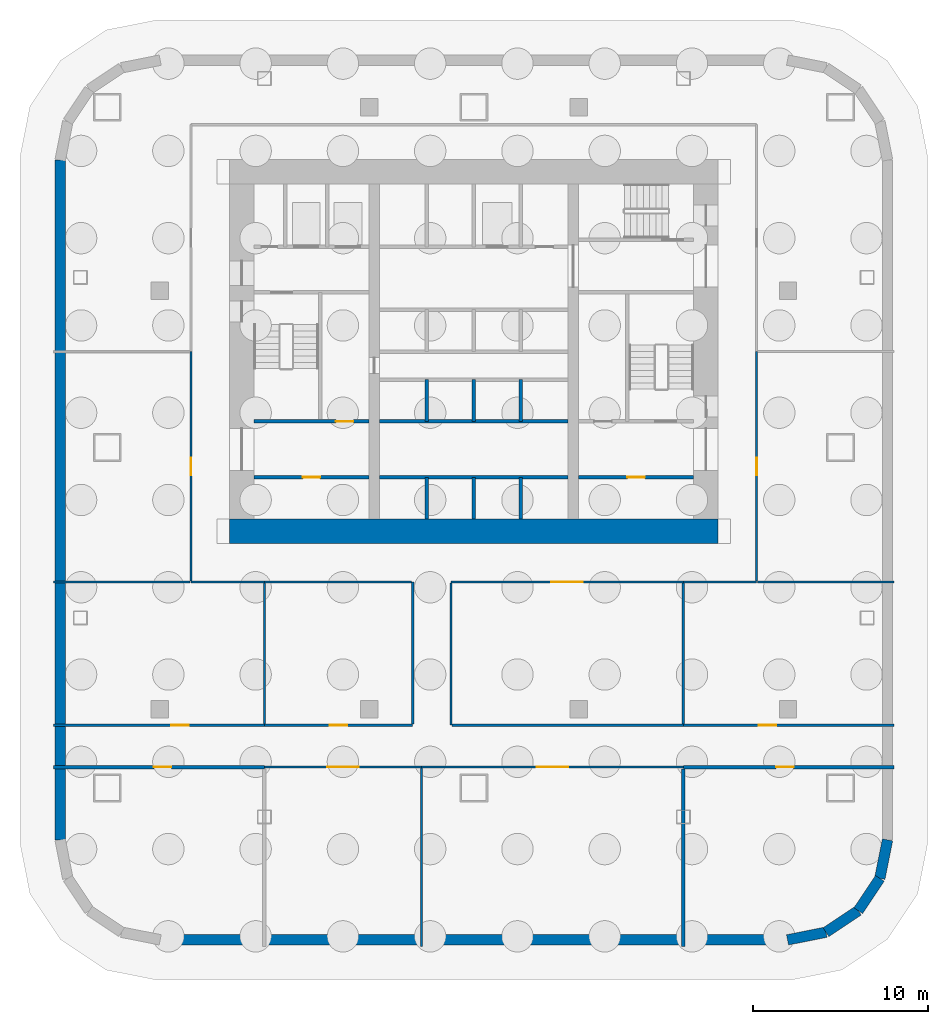
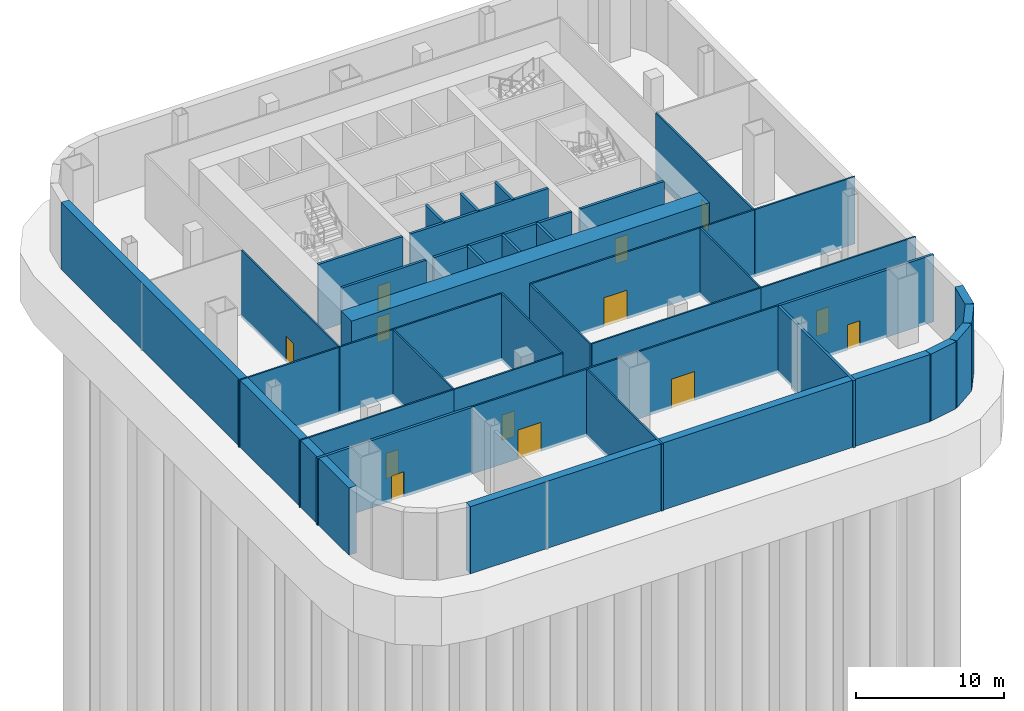
# One storey, part 2 of 6: 40 walls, 13 doors, 13 openings.
"""IFC4 building model written with IfcOpenShell, lengths in metres."""

from ifc_helpers import new_model, si_unit, direction, frame, frame_2d, origin, place, context, subcontext, project, spatial, rectangle, extrude, material, layer, layer_set, type_object, element, fill, save


model = new_model("IFC4")

# Units and contexts
model_context = context("Model", 3, precision=1e-05, world=origin(), true_north=direction((0.0, 1.0)))
body_context = subcontext(model_context, "Body", "Model", "MODEL_VIEW")
ifc_project = project(units=[si_unit("LENGTHUNIT", "METRE"), si_unit("AREAUNIT", "SQUARE_METRE"), si_unit("VOLUMEUNIT", "CUBIC_METRE"), si_unit("PLANEANGLEUNIT", "RADIAN"), si_unit("MASSUNIT", "GRAM", prefix="KILO")], contexts=[model_context])

# Site, building, storey
site_placement = place(None, origin())
site = spatial("IfcSite", under=ifc_project, at=site_placement, CompositionType="ELEMENT")
building_placement = place(site_placement, origin())
building = spatial("IfcBuilding", under=site, at=building_placement, Name="Verdant Reach Tower", CompositionType="ELEMENT")
storey_placement = place(building_placement, frame((0.0, 0.0, -6.0)))
storey = spatial("IfcBuildingStorey", under=building, at=storey_placement, Name="B1", CompositionType="ELEMENT", Elevation=-6.0)

# Wall, opening, door
ifc_material_1 = material(Name="Gypsum board on steel studs", Category="steel")
ifc_layer_1 = layer(ifc_material_1, 0.199951171875)
ifc_layer_set_1 = layer_set([ifc_layer_1], Name="CO-WALL-ROOM")
wall_type_1 = type_object("IfcWallType", Name="CO-WALL-ROOM", PredefinedType="PARTITIONING", material=ifc_layer_set_1)
wall_1_placement = place(storey_placement, frame((-12.60009765625, 20.800048828125, 0.0), z_axis=(0.0, 0.0, 1.0), x_axis=(1.0, 0.0, 0.0)))
wall_1 = element("IfcWall", 1, at=wall_1_placement, inside=storey, type_object=wall_type_1, Name="Core partition, B1", PredefinedType="PARTITIONING", context=body_context, shape_type="SweptSolid", body=[
    extrude(rectangle(XDim=6.60009765625, YDim=0.199951171875, at=frame_2d((3.300048828125, 0.0))), origin(), (0.0, 0.0, 1.0), 5.550048828125),
])
opening_1_placement = place(wall_1_placement, frame((2.800048828125, 0.0, 0.0)))
opening_1 = element("IfcOpeningElement", 2, at=opening_1_placement, cuts=wall_1, Name="Opening CD", PredefinedType="OPENING", context=body_context, shape_type="SweptSolid", body=[
    extrude(rectangle(XDim=1.0, YDim=2.10009765625, at=frame_2d((0.5, 1.050048828125))), frame((0.0, 0.10986328125, 0.0), z_axis=(0.0, -1.0, 0.0), x_axis=(1.0, 0.0, 0.0)), (0.0, 0.0, 1.0), 0.219970703125),
])
ifc_material_2 = material(Name="Timber", Category="wood")
door_type_1 = type_object("IfcDoorType", Name="CO-DOOR-ROOM", OperationType="NOTDEFINED", PredefinedType="DOOR", material=ifc_material_2)
door_1_placement = place(opening_1_placement, origin())
door_1 = element("IfcDoor", 3, at=door_1_placement, inside=storey, type_object=door_type_1, Name="Core room door, B1", OperationType="SINGLE_SWING_LEFT", OverallHeight=2.10009765625, OverallWidth=1.0, PredefinedType="DOOR", context=body_context, shape_type="SweptSolid", body=[
    extrude(rectangle(XDim=1.0, YDim=2.10009765625, at=frame_2d((0.5, 1.050048828125))), frame((0.0, 0.02490234375, 0.0), z_axis=(0.0, -1.0, 0.0), x_axis=(1.0, 0.0, 0.0)), (0.0, 0.0, 1.0), 0.050048828125),
])
fill(opening_1, door_1)

wall_2_placement = place(storey_placement, frame((6.0, 20.800048828125, 0.0), z_axis=(0.0, 0.0, 1.0), x_axis=(1.0, 0.0, 0.0)))
wall_2 = element("IfcWall", 4, at=wall_2_placement, inside=storey, type_object=wall_type_1, Name="Core partition, B1", PredefinedType="PARTITIONING", context=body_context, shape_type="SweptSolid", body=[
    extrude(rectangle(XDim=6.60009765625, YDim=0.199951171875, at=frame_2d((3.300048828125, 0.0))), origin(), (0.0, 0.0, 1.0), 5.550048828125),
])
opening_2_placement = place(wall_2_placement, frame((2.800048828125, 0.0, 0.0)))
opening_2 = element("IfcOpeningElement", 5, at=opening_2_placement, cuts=wall_2, Name="Opening CD", PredefinedType="OPENING", context=body_context, shape_type="SweptSolid", body=[
    extrude(rectangle(XDim=1.0, YDim=2.10009765625, at=frame_2d((0.5, 1.050048828125))), frame((0.0, 0.10986328125, 0.0), z_axis=(0.0, -1.0, 0.0), x_axis=(1.0, 0.0, 0.0)), (0.0, 0.0, 1.0), 0.219970703125),
])
door_2_placement = place(opening_2_placement, origin())
door_2 = element("IfcDoor", 6, at=door_2_placement, inside=storey, type_object=door_type_1, Name="Core room door, B1", OperationType="SINGLE_SWING_RIGHT", OverallHeight=2.10009765625, OverallWidth=1.0, PredefinedType="DOOR", context=body_context, shape_type="SweptSolid", body=[
    extrude(rectangle(XDim=1.0, YDim=2.10009765625, at=frame_2d((0.5, 1.050048828125))), frame((0.0, 0.02490234375, 0.0), z_axis=(0.0, -1.0, 0.0), x_axis=(1.0, 0.0, 0.0)), (0.0, 0.0, 1.0), 0.050048828125),
])
fill(opening_2, door_2)

# Walls
ifc_material_3 = material(Name="Concrete C40/50", Category="concrete")
ifc_layer_2 = layer(ifc_material_3, 0.199951171875)
ifc_layer_set_2 = layer_set([ifc_layer_2], Name="CO-WALL-SHAFT")
wall_type_2 = type_object("IfcWallType", Name="CO-WALL-SHAFT", PredefinedType="PARTITIONING", material=ifc_layer_set_2)
for number, where, z_axis, x_axis, name in (
    (7, (-5.39990234375, 20.800048828125, 0.0), (0.0, 0.0, 1.0), (1.0, 0.0, 0.0), "Lift shaft wall, B1"),
    (8, (-5.39990234375, 24.0, 0.0), (0.0, 0.0, 1.0), (1.0, 0.0, 0.0), "Lift shaft wall, B1"),
):
    element("IfcWall", number, at=place(storey_placement, frame(where, z_axis=z_axis, x_axis=x_axis)), inside=storey, type_object=wall_type_2, Name=name, PredefinedType="PARTITIONING", context=body_context, shape_type="SweptSolid", body=[
        extrude(rectangle(XDim=10.7998046875, YDim=0.199951171875, at=frame_2d((5.39990234375, 0.0))), origin(), (0.0, 0.0, 1.0), 5.550048828125),
    ])
wall_3_placement = place(storey_placement, frame((-2.699951171875, 18.39990234375, 0.0), z_axis=(0.0, 0.0, 1.0), x_axis=(0.0, 1.0, 0.0)))
element("IfcWall", 9, at=wall_3_placement, inside=storey, type_object=wall_type_2, Name="Lift shaft wall, B1", PredefinedType="PARTITIONING", context=body_context, shape_type="SweptSolid", body=[
    extrude(rectangle(XDim=2.400146484375, YDim=0.199951171875, at=frame_2d((1.2001953125, 0.0))), origin(), (0.0, 0.0, 1.0), 5.550048828125),
])
wall_4_placement = place(storey_placement, frame((-2.699951171875, 24.0, 0.0), z_axis=(0.0, 0.0, 1.0), x_axis=(0.0, 1.0, 0.0)))
element("IfcWall", 10, at=wall_4_placement, inside=storey, type_object=wall_type_2, Name="Lift shaft wall, B1", PredefinedType="PARTITIONING", context=body_context, shape_type="SweptSolid", body=[
    extrude(rectangle(XDim=2.39990234375, YDim=0.199951171875, at=frame_2d((1.199951171875, 0.0))), origin(), (0.0, 0.0, 1.0), 5.550048828125),
])
wall_5_placement = place(storey_placement, frame((0.0, 18.39990234375, 0.0), z_axis=(0.0, 0.0, 1.0), x_axis=(0.0, 1.0, 0.0)))
element("IfcWall", 11, at=wall_5_placement, inside=storey, type_object=wall_type_2, Name="Lift shaft wall, B1", PredefinedType="PARTITIONING", context=body_context, shape_type="SweptSolid", body=[
    extrude(rectangle(XDim=2.400146484375, YDim=0.199951171875, at=frame_2d((1.2001953125, 0.0))), origin(), (0.0, 0.0, 1.0), 5.550048828125),
])
wall_6_placement = place(storey_placement, frame((0.0, 24.0, 0.0), z_axis=(0.0, 0.0, 1.0), x_axis=(0.0, 1.0, 0.0)))
element("IfcWall", 12, at=wall_6_placement, inside=storey, type_object=wall_type_2, Name="Lift shaft wall, B1", PredefinedType="PARTITIONING", context=body_context, shape_type="SweptSolid", body=[
    extrude(rectangle(XDim=2.39990234375, YDim=0.199951171875, at=frame_2d((1.199951171875, 0.0))), origin(), (0.0, 0.0, 1.0), 5.550048828125),
])
wall_7_placement = place(storey_placement, frame((2.699951171875, 18.39990234375, 0.0), z_axis=(0.0, 0.0, 1.0), x_axis=(0.0, 1.0, 0.0)))
element("IfcWall", 13, at=wall_7_placement, inside=storey, type_object=wall_type_2, Name="Lift shaft wall, B1", PredefinedType="PARTITIONING", context=body_context, shape_type="SweptSolid", body=[
    extrude(rectangle(XDim=2.400146484375, YDim=0.199951171875, at=frame_2d((1.2001953125, 0.0))), origin(), (0.0, 0.0, 1.0), 5.550048828125),
])
wall_8_placement = place(storey_placement, frame((2.699951171875, 24.0, 0.0), z_axis=(0.0, 0.0, 1.0), x_axis=(0.0, 1.0, 0.0)))
element("IfcWall", 14, at=wall_8_placement, inside=storey, type_object=wall_type_2, Name="Lift shaft wall, B1", PredefinedType="PARTITIONING", context=body_context, shape_type="SweptSolid", body=[
    extrude(rectangle(XDim=2.39990234375, YDim=0.199951171875, at=frame_2d((1.199951171875, 0.0))), origin(), (0.0, 0.0, 1.0), 5.550048828125),
])

# Wall, opening, door
ifc_layer_3 = layer(ifc_material_3, 0.199951171875)
ifc_layer_set_3 = layer_set([ifc_layer_3], Name="CO-WALL-STAIR")
wall_type_3 = type_object("IfcWallType", Name="CO-WALL-STAIR", PredefinedType="PARTITIONING", material=ifc_layer_set_3)
wall_9_placement = place(storey_placement, frame((-12.60009765625, 24.0, 0.0), z_axis=(0.0, 0.0, 1.0), x_axis=(1.0, 0.0, 0.0)))
wall_9 = element("IfcWall", 15, at=wall_9_placement, inside=storey, type_object=wall_type_3, Name="Stair enclosure wall, B1", PredefinedType="PARTITIONING", context=body_context, shape_type="SweptSolid", body=[
    extrude(rectangle(XDim=6.60009765625, YDim=0.199951171875, at=frame_2d((3.300048828125, 0.0))), origin(), (0.0, 0.0, 1.0), 5.550048828125),
])
opening_3_placement = place(wall_9_placement, frame((4.699951171875, 0.0, 0.0)))
opening_3 = element("IfcOpeningElement", 16, at=opening_3_placement, cuts=wall_9, Name="Opening CD", PredefinedType="OPENING", context=body_context, shape_type="SweptSolid", body=[
    extrude(rectangle(XDim=1.0, YDim=2.10009765625, at=frame_2d((0.5, 1.050048828125))), frame((0.0, 0.10986328125, 0.0), z_axis=(0.0, -1.0, 0.0), x_axis=(1.0, 0.0, 0.0)), (0.0, 0.0, 1.0), 0.219970703125),
])
door_3_placement = place(opening_3_placement, origin())
door_3 = element("IfcDoor", 17, at=door_3_placement, inside=storey, type_object=door_type_1, Name="Core room door, B1", OperationType="SINGLE_SWING_RIGHT", OverallHeight=2.10009765625, OverallWidth=1.0, PredefinedType="DOOR", context=body_context, shape_type="SweptSolid", body=[
    extrude(rectangle(XDim=1.0, YDim=2.10009765625, at=frame_2d((0.5, 1.050048828125))), frame((0.0, 0.02490234375, 0.0), z_axis=(0.0, -1.0, 0.0), x_axis=(1.0, 0.0, 0.0)), (0.0, 0.0, 1.0), 0.050048828125),
])
fill(opening_3, door_3)

# Walls
ifc_layer_4 = layer(ifc_material_3, 0.60009765625)
ifc_layer_set_4 = layer_set([ifc_layer_4], Name="ST-BASEMENT-WALL")
wall_type_4 = type_object("IfcWallType", Name="ST-BASEMENT-WALL", PredefinedType="SHEAR", material=ifc_layer_set_4)
wall_10_placement = place(storey_placement, frame((17.970458984375, -5.699951171875, 0.0), z_axis=(0.0, 0.0, 1.0), x_axis=(-1.0, 0.0, 0.0)))
element("IfcWall", 18, at=wall_10_placement, inside=storey, type_object=wall_type_4, Name="Basement retaining wall 1", PredefinedType="SHEAR", context=body_context, shape_type="SweptSolid", body=[
    extrude(rectangle(XDim=35.94091796875, YDim=0.60009765625, at=frame_2d((17.970458984375, 0.0))), origin(), (0.0, 0.0, 1.0), 5.550048828125),
])
wall_11_placement = place(storey_placement, frame((-23.699951171875, 0.029541015625, 0.0), z_axis=(0.0, 0.0, 1.0), x_axis=(0.0, 1.0, 0.0)))
element("IfcWall", 19, at=wall_11_placement, inside=storey, type_object=wall_type_4, Name="Basement retaining wall 6", PredefinedType="SHEAR", context=body_context, shape_type="SweptSolid", body=[
    extrude(rectangle(XDim=38.94091796875, YDim=0.60009765625, at=frame_2d((19.470458984375, 0.0))), origin(), (0.0, 0.0, 1.0), 5.550048828125),
])
wall_12_placement = place(storey_placement, frame((23.699951171875, 0.029541015625, 0.0), z_axis=(0.0, 0.0, 1.0), x_axis=(-0.195052642224, -0.980792774628, 0.0)))
element("IfcWall", 20, at=wall_12_placement, inside=storey, type_object=wall_type_4, Name="Basement retaining wall 17", PredefinedType="SHEAR", context=body_context, shape_type="SweptSolid", body=[
    extrude(rectangle(XDim=2.251708984375, YDim=0.60009765625, at=frame_2d((1.1259765625, 0.0))), origin(), (0.0, 0.0, 1.0), 5.550048828125),
])
for number, where, z_axis, x_axis, name in (
    (21, (23.2607421875, -2.178955078125, 0.0), (0.0, 0.0, 1.0), (-0.555562047437, -0.831475081676, 0.0), "Basement retaining wall 18"),
    (22, (22.0263671875, -4.0263671875, 0.0), (0.0, 0.0, 1.0), (-0.831475081676, -0.555562047437, 0.0), "Basement retaining wall 19"),
):
    element("IfcWall", number, at=place(storey_placement, frame(where, z_axis=z_axis, x_axis=x_axis)), inside=storey, type_object=wall_type_4, Name=name, PredefinedType="SHEAR", context=body_context, shape_type="SweptSolid", body=[
        extrude(rectangle(XDim=2.221923828125, YDim=0.60009765625, at=frame_2d((1.11083984375, 0.0))), origin(), (0.0, 0.0, 1.0), 5.550048828125),
    ])
wall_13_placement = place(storey_placement, frame((20.178955078125, -5.2607421875, 0.0), z_axis=(0.0, 0.0, 1.0), x_axis=(-0.980792774628, -0.195052642224, 0.0)))
element("IfcWall", 23, at=wall_13_placement, inside=storey, type_object=wall_type_4, Name="Basement retaining wall 20", PredefinedType="SHEAR", context=body_context, shape_type="SweptSolid", body=[
    extrude(rectangle(XDim=2.251708984375, YDim=0.60009765625, at=frame_2d((1.1259765625, 0.0))), origin(), (0.0, 0.0, 1.0), 5.550048828125),
])
ifc_material_4 = material(Name="Concrete C70/85", Category="concrete")
ifc_layer_5 = layer(ifc_material_4, 1.39990234375)
ifc_layer_set_5 = layer_set([ifc_layer_5], Name="ST-CORE-WALL-1400")
wall_type_5 = type_object("IfcWallType", Name="ST-CORE-WALL-1400", PredefinedType="SHEAR", material=ifc_layer_set_5)
wall_14_placement = place(storey_placement, frame((-14.0, 17.699951171875, 0.0), z_axis=(0.0, 0.0, 1.0), x_axis=(1.0, 0.0, 0.0)))
element("IfcWall", 24, at=wall_14_placement, inside=storey, type_object=wall_type_5, Name="Core wall S, B1", PredefinedType="SHEAR", context=body_context, shape_type="SweptSolid", body=[
    extrude(rectangle(XDim=28.0, YDim=1.39990234375, at=frame_2d((14.0, 0.0))), origin(), (0.0, 0.0, 1.0), 5.550048828125),
])

# Wall, opening, door
ifc_material_5 = material(Name="Gypsum board on steel studs, fire rated", Category="steel")
ifc_layer_6 = layer(ifc_material_5, 0.125)
ifc_layer_set_6 = layer_set([ifc_layer_6], Name="SV-W2 Plant wall 125 EI 60")
wall_type_6 = type_object("IfcWallType", Name="SV-W2 Plant wall 125 EI 60", PredefinedType="PARTITIONING", material=ifc_layer_set_6)
wall_15_placement = place(storey_placement, frame((-12.0, 4.199951171875, 0.0), z_axis=(0.0, 0.0, 1.0), x_axis=(1.0, 0.0, 0.0)))
wall_15 = element("IfcWall", 25, at=wall_15_placement, inside=storey, type_object=wall_type_6, Name="Partition B1.02", PredefinedType="PARTITIONING", context=body_context, shape_type="SweptSolid", body=[
    extrude(rectangle(XDim=9.0, YDim=0.125, at=frame_2d((4.5, 0.0))), origin(), (0.0, 0.0, 1.0), 5.550048828125),
])
opening_4_placement = place(wall_15_placement, frame((3.60009765625, 0.0, 0.0)))
opening_4 = element("IfcOpeningElement", 26, at=opening_4_placement, cuts=wall_15, Name="Opening SD3", PredefinedType="OPENING", context=body_context, shape_type="SweptSolid", body=[
    extrude(rectangle(XDim=1.800048828125, YDim=2.39990234375, at=frame_2d((0.89990234375, 1.199951171875))), frame((0.0, 0.072509765625, 0.0), z_axis=(0.0, -1.0, 0.0), x_axis=(1.0, 0.0, 0.0)), (0.0, 0.0, 1.0), 0.14501953125),
])
ifc_material_6 = material(Name="Steel door leaves, fire rated", Category="steel")
door_type_2 = type_object("IfcDoorType", Name="SV-D3 Equipment door 1800x2400 FD60", OperationType="DOUBLE_DOOR_SINGLE_SWING", PredefinedType="DOOR", material=ifc_material_6)
door_4_placement = place(opening_4_placement, origin())
door_4 = element("IfcDoor", 27, at=door_4_placement, inside=storey, type_object=door_type_2, Name="Door B1-002", OperationType="DOUBLE_DOOR_SINGLE_SWING", OverallHeight=2.39990234375, OverallWidth=1.800048828125, PredefinedType="DOOR", context=body_context, shape_type="SweptSolid", body=[
    extrude(rectangle(XDim=1.800048828125, YDim=2.39990234375, at=frame_2d((0.89990234375, 1.199951171875))), frame((0.0, 0.02490234375, 0.0), z_axis=(0.0, -1.0, 0.0), x_axis=(1.0, 0.0, 0.0)), (0.0, 0.0, 1.0), 0.050048828125),
])
fill(opening_4, door_4)

wall_16_placement = place(storey_placement, frame((-3.0, 4.199951171875, 0.0), z_axis=(0.0, 0.0, 1.0), x_axis=(1.0, 0.0, 0.0)))
wall_16 = element("IfcWall", 28, at=wall_16_placement, inside=storey, type_object=wall_type_6, Name="Partition B1.03", PredefinedType="PARTITIONING", context=body_context, shape_type="SweptSolid", body=[
    extrude(rectangle(XDim=15.0, YDim=0.125, at=frame_2d((7.5, 0.0))), origin(), (0.0, 0.0, 1.0), 5.550048828125),
])
opening_5_placement = place(wall_16_placement, frame((6.60009765625, 0.0, 0.0)))
opening_5 = element("IfcOpeningElement", 29, at=opening_5_placement, cuts=wall_16, Name="Opening SD3", PredefinedType="OPENING", context=body_context, shape_type="SweptSolid", body=[
    extrude(rectangle(XDim=1.800048828125, YDim=2.39990234375, at=frame_2d((0.89990234375, 1.199951171875))), frame((0.0, 0.072509765625, 0.0), z_axis=(0.0, -1.0, 0.0), x_axis=(1.0, 0.0, 0.0)), (0.0, 0.0, 1.0), 0.14501953125),
])
door_5_placement = place(opening_5_placement, origin())
door_5 = element("IfcDoor", 30, at=door_5_placement, inside=storey, type_object=door_type_2, Name="Door B1-003", OperationType="DOUBLE_DOOR_SINGLE_SWING", OverallHeight=2.39990234375, OverallWidth=1.800048828125, PredefinedType="DOOR", context=body_context, shape_type="SweptSolid", body=[
    extrude(rectangle(XDim=1.800048828125, YDim=2.39990234375, at=frame_2d((0.89990234375, 1.199951171875))), frame((0.0, 0.02490234375, 0.0), z_axis=(0.0, -1.0, 0.0), x_axis=(1.0, 0.0, 0.0)), (0.0, 0.0, 1.0), 0.050048828125),
])
fill(opening_5, door_5)

wall_17_placement = place(storey_placement, frame((-24.080078125, 6.60009765625, 0.0), z_axis=(0.0, 0.0, 1.0), x_axis=(1.0, 0.0, 0.0)))
wall_17 = element("IfcWall", 31, at=wall_17_placement, inside=storey, type_object=wall_type_6, Name="Partition B1.05", PredefinedType="PARTITIONING", context=body_context, shape_type="SweptSolid", body=[
    extrude(rectangle(XDim=12.080078125, YDim=0.125, at=frame_2d((6.0400390625, 0.0))), origin(), (0.0, 0.0, 1.0), 5.550048828125),
])
opening_6_placement = place(wall_17_placement, frame((6.7548828125, 0.0, 0.0)))
opening_6 = element("IfcOpeningElement", 32, at=opening_6_placement, cuts=wall_17, Name="Opening SD2", PredefinedType="OPENING", context=body_context, shape_type="SweptSolid", body=[
    extrude(rectangle(XDim=1.0, YDim=2.10009765625, at=frame_2d((0.5, 1.050048828125))), frame((0.0, 0.072509765625, 0.0), z_axis=(0.0, -1.0, 0.0), x_axis=(1.0, 0.0, 0.0)), (0.0, 0.0, 1.0), 0.14501953125),
])
ifc_material_7 = material(Name="Steel door leaf, fire rated", Category="steel")
door_type_3 = type_object("IfcDoorType", Name="SV-D2 Door 1000x2100 FD60", OperationType="NOTDEFINED", PredefinedType="DOOR", material=ifc_material_7)
door_6_placement = place(opening_6_placement, origin())
door_6 = element("IfcDoor", 33, at=door_6_placement, inside=storey, type_object=door_type_3, Name="Door B1-005", OperationType="SINGLE_SWING_RIGHT", OverallHeight=2.10009765625, OverallWidth=1.0, PredefinedType="DOOR", context=body_context, shape_type="SweptSolid", body=[
    extrude(rectangle(XDim=1.0, YDim=2.10009765625, at=frame_2d((0.5, 1.050048828125))), frame((0.0, 0.02490234375, 0.0), z_axis=(0.0, -1.0, 0.0), x_axis=(1.0, 0.0, 0.0)), (0.0, 0.0, 1.0), 0.050048828125),
])
fill(opening_6, door_6)

# Wall
wall_18_placement = place(storey_placement, frame((-12.0, 14.800048828125, 0.0), z_axis=(0.0, 0.0, 1.0), x_axis=(-1.0, 0.0, 0.0)))
element("IfcWall", 34, at=wall_18_placement, inside=storey, type_object=wall_type_6, Name="Partition B1.06", PredefinedType="PARTITIONING", context=body_context, shape_type="SweptSolid", body=[
    extrude(rectangle(XDim=4.199951171875, YDim=0.125, at=frame_2d((2.10009765625, 0.0))), origin(), (0.0, 0.0, 1.0), 5.550048828125),
])

# Wall, opening, door
wall_19_placement = place(storey_placement, frame((-12.0, 6.60009765625, 0.0), z_axis=(0.0, 0.0, 1.0), x_axis=(1.0, 0.0, 0.0)))
wall_19 = element("IfcWall", 35, at=wall_19_placement, inside=storey, type_object=wall_type_6, Name="Partition B1.07", PredefinedType="PARTITIONING", context=body_context, shape_type="SweptSolid", body=[
    extrude(rectangle(XDim=8.5, YDim=0.125, at=frame_2d((4.25, 0.0))), origin(), (0.0, 0.0, 1.0), 5.550048828125),
])
opening_7_placement = place(wall_19_placement, frame((3.75, 0.0, 0.0)))
opening_7 = element("IfcOpeningElement", 36, at=opening_7_placement, cuts=wall_19, Name="Opening SD2", PredefinedType="OPENING", context=body_context, shape_type="SweptSolid", body=[
    extrude(rectangle(XDim=1.0, YDim=2.10009765625, at=frame_2d((0.5, 1.050048828125))), frame((0.0, 0.072509765625, 0.0), z_axis=(0.0, -1.0, 0.0), x_axis=(1.0, 0.0, 0.0)), (0.0, 0.0, 1.0), 0.14501953125),
])
door_7_placement = place(opening_7_placement, origin())
door_7 = element("IfcDoor", 37, at=door_7_placement, inside=storey, type_object=door_type_3, Name="Door B1-006", OperationType="SINGLE_SWING_RIGHT", OverallHeight=2.10009765625, OverallWidth=1.0, PredefinedType="DOOR", context=body_context, shape_type="SweptSolid", body=[
    extrude(rectangle(XDim=1.0, YDim=2.10009765625, at=frame_2d((0.5, 1.050048828125))), frame((0.0, 0.02490234375, 0.0), z_axis=(0.0, -1.0, 0.0), x_axis=(1.0, 0.0, 0.0)), (0.0, 0.0, 1.0), 0.050048828125),
])
fill(opening_7, door_7)

# Walls
wall_20_placement = place(storey_placement, frame((-3.5, 6.66259765625, 0.0), z_axis=(0.0, 0.0, 1.0), x_axis=(0.0, 1.0, 0.0)))
element("IfcWall", 38, at=wall_20_placement, inside=storey, type_object=wall_type_6, Name="Partition B1.08", PredefinedType="PARTITIONING", context=body_context, shape_type="SweptSolid", body=[
    extrude(rectangle(XDim=8.137451171875, YDim=0.125, at=frame_2d((4.06884765625, 0.0))), origin(), (0.0, 0.0, 1.0), 5.550048828125),
])
wall_21_placement = place(storey_placement, frame((-3.5625, 14.800048828125, 0.0), z_axis=(0.0, 0.0, 1.0), x_axis=(-1.0, 0.0, 0.0)))
element("IfcWall", 39, at=wall_21_placement, inside=storey, type_object=wall_type_6, Name="Partition B1.09", PredefinedType="PARTITIONING", context=body_context, shape_type="SweptSolid", body=[
    extrude(rectangle(XDim=8.4375, YDim=0.125, at=frame_2d((4.21875, 0.0))), origin(), (0.0, 0.0, 1.0), 5.550048828125),
])

# Wall, opening, door
wall_22_placement = place(storey_placement, frame((-1.300048828125, 14.800048828125, 0.0), z_axis=(0.0, 0.0, 1.0), x_axis=(1.0, 0.0, 0.0)))
wall_22 = element("IfcWall", 40, at=wall_22_placement, inside=storey, type_object=wall_type_6, Name="Partition B1.10", PredefinedType="PARTITIONING", context=body_context, shape_type="SweptSolid", body=[
    extrude(rectangle(XDim=13.300048828125, YDim=0.125, at=frame_2d((6.64990234375, 0.0))), origin(), (0.0, 0.0, 1.0), 5.550048828125),
])
opening_8_placement = place(wall_22_placement, frame((5.75, 0.0, 0.0)))
opening_8 = element("IfcOpeningElement", 41, at=opening_8_placement, cuts=wall_22, Name="Opening SD3", PredefinedType="OPENING", context=body_context, shape_type="SweptSolid", body=[
    extrude(rectangle(XDim=1.800048828125, YDim=2.39990234375, at=frame_2d((0.89990234375, 1.199951171875))), frame((0.0, 0.072509765625, 0.0), z_axis=(0.0, -1.0, 0.0), x_axis=(1.0, 0.0, 0.0)), (0.0, 0.0, 1.0), 0.14501953125),
])
door_8_placement = place(opening_8_placement, origin())
door_8 = element("IfcDoor", 42, at=door_8_placement, inside=storey, type_object=door_type_2, Name="Door B1-007", OperationType="DOUBLE_DOOR_SINGLE_SWING", OverallHeight=2.39990234375, OverallWidth=1.800048828125, PredefinedType="DOOR", context=body_context, shape_type="SweptSolid", body=[
    extrude(rectangle(XDim=1.800048828125, YDim=2.39990234375, at=frame_2d((0.89990234375, 1.199951171875))), frame((0.0, 0.02490234375, 0.0), z_axis=(0.0, -1.0, 0.0), x_axis=(1.0, 0.0, 0.0)), (0.0, 0.0, 1.0), 0.050048828125),
])
fill(opening_8, door_8)

# Walls
wall_23_placement = place(storey_placement, frame((-1.300048828125, 14.737548828125, 0.0), z_axis=(0.0, 0.0, 1.0), x_axis=(0.0, -1.0, 0.0)))
element("IfcWall", 43, at=wall_23_placement, inside=storey, type_object=wall_type_6, Name="Partition B1.11", PredefinedType="PARTITIONING", context=body_context, shape_type="SweptSolid", body=[
    extrude(rectangle(XDim=8.137451171875, YDim=0.125, at=frame_2d((4.06884765625, 0.0))), origin(), (0.0, 0.0, 1.0), 5.550048828125),
])
wall_24_placement = place(storey_placement, frame((-1.237548828125, 6.60009765625, 0.0), z_axis=(0.0, 0.0, 1.0), x_axis=(1.0, 0.0, 0.0)))
element("IfcWall", 44, at=wall_24_placement, inside=storey, type_object=wall_type_6, Name="Partition B1.12", PredefinedType="PARTITIONING", context=body_context, shape_type="SweptSolid", body=[
    extrude(rectangle(XDim=13.237548828125, YDim=0.125, at=frame_2d((6.61865234375, 0.0))), origin(), (0.0, 0.0, 1.0), 5.550048828125),
])

# Wall, opening, door
wall_25_placement = place(storey_placement, frame((12.0, 6.60009765625, 0.0), z_axis=(0.0, 0.0, 1.0), x_axis=(1.0, 0.0, 0.0)))
wall_25 = element("IfcWall", 45, at=wall_25_placement, inside=storey, type_object=wall_type_6, Name="Partition B1.13", PredefinedType="PARTITIONING", context=body_context, shape_type="SweptSolid", body=[
    extrude(rectangle(XDim=12.080078125, YDim=0.125, at=frame_2d((6.0400390625, 0.0))), origin(), (0.0, 0.0, 1.0), 5.550048828125),
])
opening_9_placement = place(wall_25_placement, frame((4.324951171875, 0.0, 0.0)))
opening_9 = element("IfcOpeningElement", 46, at=opening_9_placement, cuts=wall_25, Name="Opening SD2", PredefinedType="OPENING", context=body_context, shape_type="SweptSolid", body=[
    extrude(rectangle(XDim=1.0, YDim=2.10009765625, at=frame_2d((0.5, 1.050048828125))), frame((0.0, 0.072509765625, 0.0), z_axis=(0.0, -1.0, 0.0), x_axis=(1.0, 0.0, 0.0)), (0.0, 0.0, 1.0), 0.14501953125),
])
door_9_placement = place(opening_9_placement, origin())
door_9 = element("IfcDoor", 47, at=door_9_placement, inside=storey, type_object=door_type_3, Name="Door B1-008", OperationType="SINGLE_SWING_LEFT", OverallHeight=2.10009765625, OverallWidth=1.0, PredefinedType="DOOR", context=body_context, shape_type="SweptSolid", body=[
    extrude(rectangle(XDim=1.0, YDim=2.10009765625, at=frame_2d((0.5, 1.050048828125))), frame((0.0, 0.02490234375, 0.0), z_axis=(0.0, -1.0, 0.0), x_axis=(1.0, 0.0, 0.0)), (0.0, 0.0, 1.0), 0.050048828125),
])
fill(opening_9, door_9)

# Wall
wall_26_placement = place(storey_placement, frame((16.199951171875, 14.800048828125, 0.0), z_axis=(0.0, 0.0, 1.0), x_axis=(-1.0, 0.0, 0.0)))
element("IfcWall", 48, at=wall_26_placement, inside=storey, type_object=wall_type_6, Name="Partition B1.14", PredefinedType="PARTITIONING", context=body_context, shape_type="SweptSolid", body=[
    extrude(rectangle(XDim=4.199951171875, YDim=0.125, at=frame_2d((2.10009765625, 0.0))), origin(), (0.0, 0.0, 1.0), 5.550048828125),
])

# Wall, opening, door
wall_27_placement = place(storey_placement, frame((-16.199951171875, 28.0, 0.0), z_axis=(0.0, 0.0, 1.0), x_axis=(0.0, -1.0, 0.0)))
wall_27 = element("IfcWall", 49, at=wall_27_placement, inside=storey, type_object=wall_type_6, Name="Partition B1.15", PredefinedType="PARTITIONING", context=body_context, shape_type="SweptSolid", body=[
    extrude(rectangle(XDim=13.137451171875, YDim=0.125, at=frame_2d((6.56884765625, 0.0))), origin(), (0.0, 0.0, 1.0), 5.550048828125),
])
opening_10_placement = place(wall_27_placement, frame((6.06884765625, 0.0, 0.0)))
opening_10 = element("IfcOpeningElement", 50, at=opening_10_placement, cuts=wall_27, Name="Opening SD2", PredefinedType="OPENING", context=body_context, shape_type="SweptSolid", body=[
    extrude(rectangle(XDim=1.0, YDim=2.10009765625, at=frame_2d((0.5, 1.050048828125))), frame((0.0, 0.072509765625, 0.0), z_axis=(0.0, -1.0, 0.0), x_axis=(1.0, 0.0, 0.0)), (0.0, 0.0, 1.0), 0.14501953125),
])
door_10_placement = place(opening_10_placement, origin())
door_10 = element("IfcDoor", 51, at=door_10_placement, inside=storey, type_object=door_type_3, Name="Door B1-009", OperationType="SINGLE_SWING_LEFT", OverallHeight=2.10009765625, OverallWidth=1.0, PredefinedType="DOOR", context=body_context, shape_type="SweptSolid", body=[
    extrude(rectangle(XDim=1.0, YDim=2.10009765625, at=frame_2d((0.5, 1.050048828125))), frame((0.0, 0.02490234375, 0.0), z_axis=(0.0, -1.0, 0.0), x_axis=(1.0, 0.0, 0.0)), (0.0, 0.0, 1.0), 0.050048828125),
])
fill(opening_10, door_10)

wall_28_placement = place(storey_placement, frame((16.199951171875, 14.862548828125, 0.0), z_axis=(0.0, 0.0, 1.0), x_axis=(0.0, 1.0, 0.0)))
wall_28 = element("IfcWall", 52, at=wall_28_placement, inside=storey, type_object=wall_type_6, Name="Partition B1.17", PredefinedType="PARTITIONING", context=body_context, shape_type="SweptSolid", body=[
    extrude(rectangle(XDim=13.137451171875, YDim=0.125, at=frame_2d((6.56884765625, 0.0))), origin(), (0.0, 0.0, 1.0), 5.550048828125),
])
opening_11_placement = place(wall_28_placement, frame((6.068603515625, 0.0, 0.0)))
opening_11 = element("IfcOpeningElement", 53, at=opening_11_placement, cuts=wall_28, Name="Opening SD2", PredefinedType="OPENING", context=body_context, shape_type="SweptSolid", body=[
    extrude(rectangle(XDim=1.0, YDim=2.10009765625, at=frame_2d((0.5, 1.050048828125))), frame((0.0, 0.072509765625, 0.0), z_axis=(0.0, -1.0, 0.0), x_axis=(1.0, 0.0, 0.0)), (0.0, 0.0, 1.0), 0.14501953125),
])
door_11_placement = place(opening_11_placement, origin())
door_11 = element("IfcDoor", 54, at=door_11_placement, inside=storey, type_object=door_type_3, Name="Door B1-011", OperationType="SINGLE_SWING_LEFT", OverallHeight=2.10009765625, OverallWidth=1.0, PredefinedType="DOOR", context=body_context, shape_type="SweptSolid", body=[
    extrude(rectangle(XDim=1.0, YDim=2.10009765625, at=frame_2d((0.5, 1.050048828125))), frame((0.0, 0.02490234375, 0.0), z_axis=(0.0, -1.0, 0.0), x_axis=(1.0, 0.0, 0.0)), (0.0, 0.0, 1.0), 0.050048828125),
])
fill(opening_11, door_11)

# Walls
wall_29_placement = place(storey_placement, frame((-3.0, 4.137451171875, 0.0), z_axis=(0.0, 0.0, 1.0), x_axis=(0.0, -1.0, 0.0)))
element("IfcWall", 55, at=wall_29_placement, inside=storey, type_object=wall_type_6, Name="Partition B1.20", PredefinedType="PARTITIONING", context=body_context, shape_type="SweptSolid", body=[
    extrude(rectangle(XDim=10.217529296875, YDim=0.125, at=frame_2d((5.10888671875, 0.0))), origin(), (0.0, 0.0, 1.0), 5.550048828125),
])
wall_30_placement = place(storey_placement, frame((-12.0, 14.737548828125, 0.0), z_axis=(0.0, 0.0, 1.0), x_axis=(0.0, -1.0, 0.0)))
element("IfcWall", 56, at=wall_30_placement, inside=storey, type_object=wall_type_6, Name="Partition B1.22", PredefinedType="PARTITIONING", context=body_context, shape_type="SweptSolid", body=[
    extrude(rectangle(XDim=8.074951171875, YDim=0.125, at=frame_2d((4.03759765625, 0.0))), origin(), (0.0, 0.0, 1.0), 5.550048828125),
])
wall_31_placement = place(storey_placement, frame((-24.080078125, 14.800048828125, 0.0), z_axis=(0.0, 0.0, 1.0), x_axis=(1.0, 0.0, 0.0)))
element("IfcWall", 57, at=wall_31_placement, inside=storey, type_object=wall_type_6, Name="Partition B1.23", PredefinedType="PARTITIONING", context=body_context, shape_type="SweptSolid", body=[
    extrude(rectangle(XDim=7.817626953125, YDim=0.125, at=frame_2d((3.90869140625, 0.0))), origin(), (0.0, 0.0, 1.0), 5.550048828125),
])
wall_32_placement = place(storey_placement, frame((12.0, 14.737548828125, 0.0), z_axis=(0.0, 0.0, 1.0), x_axis=(0.0, -1.0, 0.0)))
element("IfcWall", 58, at=wall_32_placement, inside=storey, type_object=wall_type_6, Name="Partition B1.24", PredefinedType="PARTITIONING", context=body_context, shape_type="SweptSolid", body=[
    extrude(rectangle(XDim=8.074951171875, YDim=0.125, at=frame_2d((4.03759765625, 0.0))), origin(), (0.0, 0.0, 1.0), 5.550048828125),
])
wall_33_placement = place(storey_placement, frame((16.262451171875, 14.800048828125, 0.0), z_axis=(0.0, 0.0, 1.0), x_axis=(1.0, 0.0, 0.0)))
element("IfcWall", 59, at=wall_33_placement, inside=storey, type_object=wall_type_6, Name="Partition B1.25", PredefinedType="PARTITIONING", context=body_context, shape_type="SweptSolid", body=[
    extrude(rectangle(XDim=7.817626953125, YDim=0.125, at=frame_2d((3.90869140625, 0.0))), origin(), (0.0, 0.0, 1.0), 5.550048828125),
])

# Wall, opening, door
ifc_material_8 = material(Name="Calcium silicate board on steel studs, fire rated", Category="steel")
ifc_layer_7 = layer(ifc_material_8, 0.199951171875)
ifc_layer_set_7 = layer_set([ifc_layer_7], Name="SV-W3 Fire wall 200 EI 120")
wall_type_7 = type_object("IfcWallType", Name="SV-W3 Fire wall 200 EI 120", PredefinedType="PARTITIONING", material=ifc_layer_set_7)
wall_34_placement = place(storey_placement, frame((-24.080078125, 4.199951171875, 0.0), z_axis=(0.0, 0.0, 1.0), x_axis=(1.0, 0.0, 0.0)))
wall_34 = element("IfcWall", 60, at=wall_34_placement, inside=storey, type_object=wall_type_7, Name="Partition B1.01", PredefinedType="PARTITIONING", context=body_context, shape_type="SweptSolid", body=[
    extrude(rectangle(XDim=12.080078125, YDim=0.199951171875, at=frame_2d((6.0400390625, 0.0))), origin(), (0.0, 0.0, 1.0), 5.550048828125),
])
opening_12_placement = place(wall_34_placement, frame((5.7548828125, 0.0, 0.0)))
opening_12 = element("IfcOpeningElement", 61, at=opening_12_placement, cuts=wall_34, Name="Opening SD4", PredefinedType="OPENING", context=body_context, shape_type="SweptSolid", body=[
    extrude(rectangle(XDim=1.0, YDim=2.10009765625, at=frame_2d((0.5, 1.050048828125))), frame((0.0, 0.10986328125, 0.0), z_axis=(0.0, -1.0, 0.0), x_axis=(1.0, 0.0, 0.0)), (0.0, 0.0, 1.0), 0.219970703125),
])
door_type_4 = type_object("IfcDoorType", Name="SV-D4 Door 1000x2100 FD120", OperationType="NOTDEFINED", PredefinedType="DOOR", material=ifc_material_7)
door_12_placement = place(opening_12_placement, origin())
door_12 = element("IfcDoor", 62, at=door_12_placement, inside=storey, type_object=door_type_4, Name="Door B1-001", OperationType="SINGLE_SWING_RIGHT", OverallHeight=2.10009765625, OverallWidth=1.0, PredefinedType="DOOR", context=body_context, shape_type="SweptSolid", body=[
    extrude(rectangle(XDim=1.0, YDim=2.10009765625, at=frame_2d((0.5, 1.050048828125))), frame((0.0, 0.02490234375, 0.0), z_axis=(0.0, -1.0, 0.0), x_axis=(1.0, 0.0, 0.0)), (0.0, 0.0, 1.0), 0.050048828125),
])
fill(opening_12, door_12)

wall_35_placement = place(storey_placement, frame((12.0, 4.199951171875, 0.0), z_axis=(0.0, 0.0, 1.0), x_axis=(1.0, 0.0, 0.0)))
wall_35 = element("IfcWall", 63, at=wall_35_placement, inside=storey, type_object=wall_type_7, Name="Partition B1.04", PredefinedType="PARTITIONING", context=body_context, shape_type="SweptSolid", body=[
    extrude(rectangle(XDim=12.080078125, YDim=0.199951171875, at=frame_2d((6.0400390625, 0.0))), origin(), (0.0, 0.0, 1.0), 5.550048828125),
])
opening_13_placement = place(wall_35_placement, frame((5.324951171875, 0.0, 0.0)))
opening_13 = element("IfcOpeningElement", 64, at=opening_13_placement, cuts=wall_35, Name="Opening SD4", PredefinedType="OPENING", context=body_context, shape_type="SweptSolid", body=[
    extrude(rectangle(XDim=1.0, YDim=2.10009765625, at=frame_2d((0.5, 1.050048828125))), frame((0.0, 0.10986328125, 0.0), z_axis=(0.0, -1.0, 0.0), x_axis=(1.0, 0.0, 0.0)), (0.0, 0.0, 1.0), 0.219970703125),
])
door_13_placement = place(opening_13_placement, origin())
door_13 = element("IfcDoor", 65, at=door_13_placement, inside=storey, type_object=door_type_4, Name="Door B1-004", OperationType="SINGLE_SWING_LEFT", OverallHeight=2.10009765625, OverallWidth=1.0, PredefinedType="DOOR", context=body_context, shape_type="SweptSolid", body=[
    extrude(rectangle(XDim=1.0, YDim=2.10009765625, at=frame_2d((0.5, 1.050048828125))), frame((0.0, 0.02490234375, 0.0), z_axis=(0.0, -1.0, 0.0), x_axis=(1.0, 0.0, 0.0)), (0.0, 0.0, 1.0), 0.050048828125),
])
fill(opening_13, door_13)

# Wall
wall_36_placement = place(storey_placement, frame((12.0, 4.10009765625, 0.0), z_axis=(0.0, 0.0, 1.0), x_axis=(0.0, -1.0, 0.0)))
element("IfcWall", 66, at=wall_36_placement, inside=storey, type_object=wall_type_7, Name="Partition B1.21", PredefinedType="PARTITIONING", context=body_context, shape_type="SweptSolid", body=[
    extrude(rectangle(XDim=10.18017578125, YDim=0.199951171875, at=frame_2d((5.090087890625, 0.0))), origin(), (0.0, 0.0, 1.0), 5.550048828125),
])

save(model, "model.ifc")
